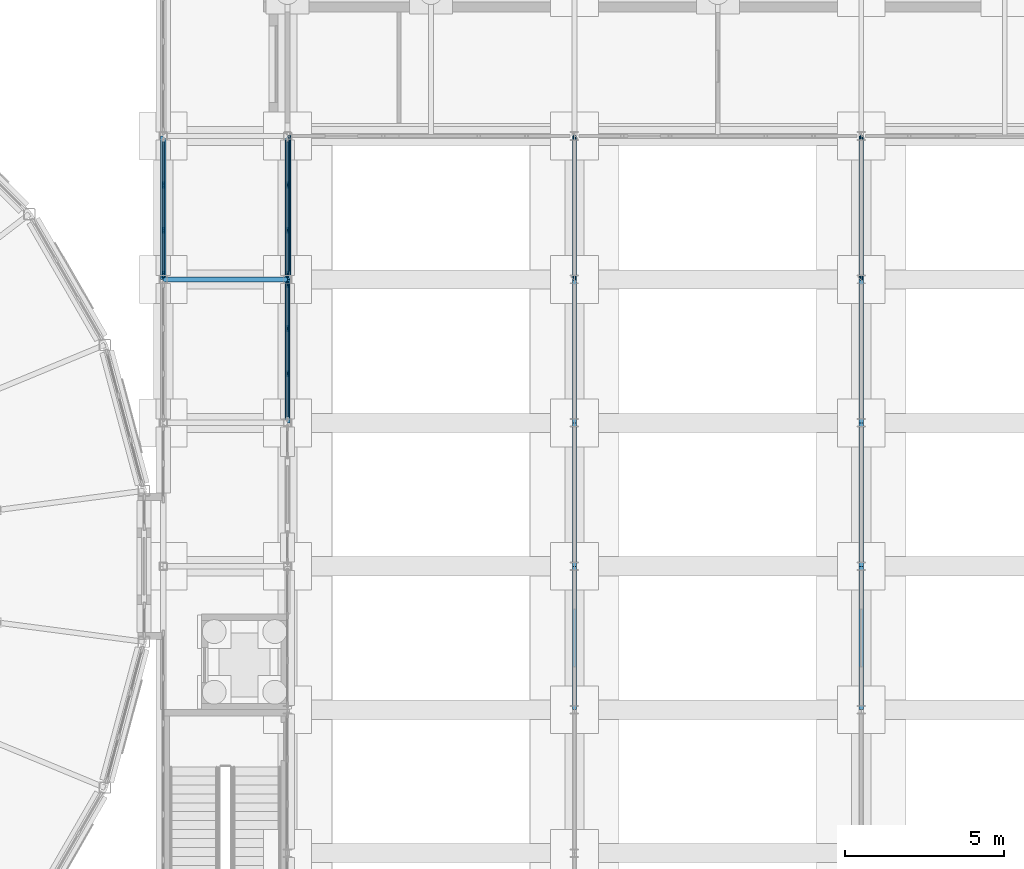
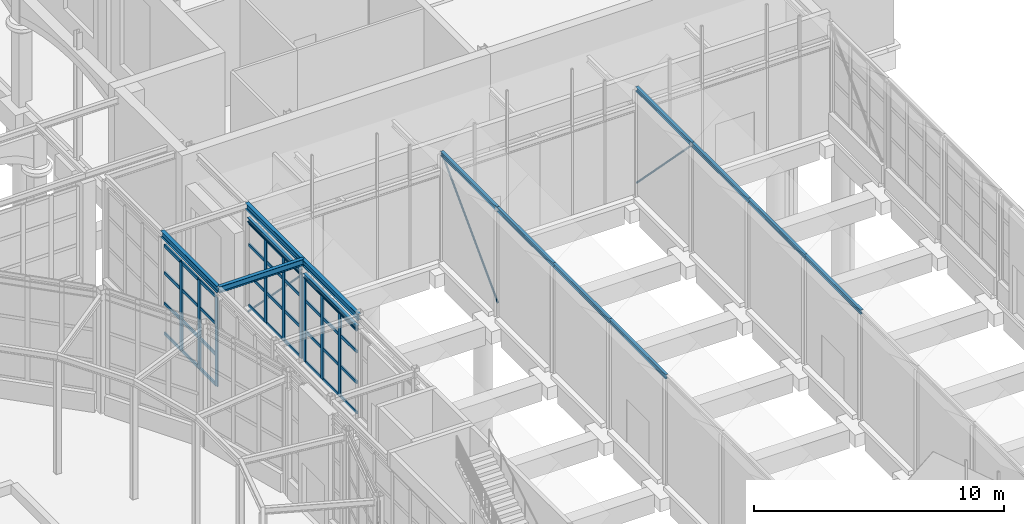
# One storey, part 45 of 106: 48 members, 14 beams, 3 elements without a shape of their own.
"""IFC4 building model written with IfcOpenShell, lengths in metres."""

from ifc_helpers import new_model, si_unit, direction, frame, origin, origin_2d, place, context, subcontext, project, spatial, rectangle, hollow_circle, i_section, extrude, material, layer, layer_set, material_profile, profile_set, type_object, element, aggregate, save


model = new_model("IFC4")

# Units and contexts
model_context = context("Model", 3, precision=1e-05, world=origin(), true_north=direction((0.0, 1.0)))
body_context = subcontext(model_context, "Body", "Model", "MODEL_VIEW")
ifc_project = project(units=[si_unit("LENGTHUNIT", "METRE"), si_unit("AREAUNIT", "SQUARE_METRE"), si_unit("VOLUMEUNIT", "CUBIC_METRE"), si_unit("PLANEANGLEUNIT", "RADIAN"), si_unit("MASSUNIT", "GRAM", prefix="KILO")], contexts=[model_context])

# Site, building, storey
site_placement = place(None, origin())
site = spatial("IfcSite", under=ifc_project, at=site_placement, CompositionType="ELEMENT")
building_placement = place(site_placement, origin())
building = spatial("IfcBuilding", under=site, at=building_placement, Name="Hortulan Conservatory and Botanical Research Centre", CompositionType="ELEMENT")
storey_placement = place(building_placement, origin())
storey = spatial("IfcBuildingStorey", under=building, at=storey_placement, Name="L00", CompositionType="ELEMENT", Elevation=0.0)

# Curtain wall, members
ifc_material_1 = material(Name="Bronze-finished aluminium", Category="aluminium")
ifc_layer = layer(ifc_material_1, 0.10009765625)
ifc_layer_set = layer_set([ifc_layer], Name="Bronze-framed Curtain Wall 1500 module")
curtain_wall_type = type_object("IfcCurtainWallType", Name="Bronze-framed Curtain Wall 1500 module", PredefinedType="NOTDEFINED", material=ifc_layer_set)
curtain_wall_1_placement = place(storey_placement, origin())
curtain_wall_1 = element("IfcCurtainWall", 1, at=curtain_wall_1_placement, inside=storey, type_object=curtain_wall_type, Name="Curtain wall", PredefinedType="NOTDEFINED")
ifc_material_profile_1 = material_profile(ifc_material_1, rectangle(XDim=0.06005859375, YDim=0.199951171875, at=origin_2d()), Name="Bronze Mullion 60x200")
ifc_profile_set_1 = profile_set([ifc_material_profile_1], Name="Bronze-finished aluminium")
member_type_1 = type_object("IfcMemberType", Name="Bronze Mullion 60x200", PredefinedType="MULLION", material=ifc_profile_set_1)
member_1_placement = place(storey_placement, frame((72.60009765625, 27.155029296875, 0.89990234375), z_axis=(0.0, 0.0, 1.0), x_axis=(-1.0, 0.0, 0.0)))
member_1 = element("IfcMember", 2, at=member_1_placement, type_object=member_type_1, Name="CW1 mullion 1", PredefinedType="MULLION", context=body_context, shape_type="SweptSolid", body=[
    extrude(rectangle(XDim=0.06005859375, YDim=0.199951171875, at=origin_2d()), origin(), (0.0, 0.0, 1.0), 4.340087890625),
])
member_2_placement = place(storey_placement, frame((72.60009765625, 28.541748046875, 0.89990234375), z_axis=(0.0, 0.0, 1.0), x_axis=(-1.0, 0.0, 0.0)))
member_2 = element("IfcMember", 3, at=member_2_placement, type_object=member_type_1, Name="CW1 mullion 2", PredefinedType="MULLION", context=body_context, shape_type="SweptSolid", body=[
    extrude(rectangle(XDim=0.06005859375, YDim=0.199951171875, at=origin_2d()), origin(), (0.0, 0.0, 1.0), 4.340087890625),
])
member_3_placement = place(storey_placement, frame((72.60009765625, 29.958251953125, 0.89990234375), z_axis=(0.0, 0.0, 1.0), x_axis=(-1.0, 0.0, 0.0)))
member_3 = element("IfcMember", 4, at=member_3_placement, type_object=member_type_1, Name="CW1 mullion 3", PredefinedType="MULLION", context=body_context, shape_type="SweptSolid", body=[
    extrude(rectangle(XDim=0.06005859375, YDim=0.199951171875, at=origin_2d()), origin(), (0.0, 0.0, 1.0), 4.340087890625),
])

curtain_wall_2_placement = place(storey_placement, origin())
curtain_wall_2 = element("IfcCurtainWall", 5, at=curtain_wall_2_placement, inside=storey, type_object=curtain_wall_type, Name="Curtain wall", PredefinedType="NOTDEFINED")
member_4_placement = place(storey_placement, frame((76.5, 29.958251953125, 0.89990234375), z_axis=(0.0, 0.0, 1.0), x_axis=(1.0, 0.0, 0.0)))
member_4 = element("IfcMember", 6, at=member_4_placement, type_object=member_type_1, Name="CW1 mullion 2", PredefinedType="MULLION", context=body_context, shape_type="SweptSolid", body=[
    extrude(rectangle(XDim=0.06005859375, YDim=0.199951171875, at=origin_2d()), origin(), (0.0, 0.0, 1.0), 4.10009765625),
])
member_5_placement = place(storey_placement, frame((76.5, 28.541748046875, 0.89990234375), z_axis=(0.0, 0.0, 1.0), x_axis=(1.0, 0.0, 0.0)))
member_5 = element("IfcMember", 7, at=member_5_placement, type_object=member_type_1, Name="CW1 mullion 3", PredefinedType="MULLION", context=body_context, shape_type="SweptSolid", body=[
    extrude(rectangle(XDim=0.06005859375, YDim=0.199951171875, at=origin_2d()), origin(), (0.0, 0.0, 1.0), 4.10009765625),
])
member_6_placement = place(storey_placement, frame((76.5, 27.155029296875, 0.89990234375), z_axis=(0.0, 0.0, 1.0), x_axis=(1.0, 0.0, 0.0)))
member_6 = element("IfcMember", 8, at=member_6_placement, type_object=member_type_1, Name="CW1 mullion 4", PredefinedType="MULLION", context=body_context, shape_type="SweptSolid", body=[
    extrude(rectangle(XDim=0.06005859375, YDim=0.199951171875, at=origin_2d()), origin(), (0.0, 0.0, 1.0), 4.10009765625),
])

curtain_wall_3_placement = place(storey_placement, origin())
curtain_wall_3 = element("IfcCurtainWall", 9, at=curtain_wall_3_placement, inside=storey, type_object=curtain_wall_type, Name="Curtain wall", PredefinedType="NOTDEFINED")
member_7_placement = place(storey_placement, frame((76.5, 26.844970703125, 0.89990234375), z_axis=(0.0, 0.0, 1.0), x_axis=(1.0, 0.0, 0.0)))
member_7 = element("IfcMember", 10, at=member_7_placement, type_object=member_type_1, Name="CW1 mullion 1", PredefinedType="MULLION", context=body_context, shape_type="SweptSolid", body=[
    extrude(rectangle(XDim=0.06005859375, YDim=0.199951171875, at=origin_2d()), origin(), (0.0, 0.0, 1.0), 4.10009765625),
])
member_8_placement = place(storey_placement, frame((76.5, 25.458251953125, 0.89990234375), z_axis=(0.0, 0.0, 1.0), x_axis=(1.0, 0.0, 0.0)))
member_8 = element("IfcMember", 11, at=member_8_placement, type_object=member_type_1, Name="CW1 mullion 2", PredefinedType="MULLION", context=body_context, shape_type="SweptSolid", body=[
    extrude(rectangle(XDim=0.06005859375, YDim=0.199951171875, at=origin_2d()), origin(), (0.0, 0.0, 1.0), 4.10009765625),
])
member_9_placement = place(storey_placement, frame((76.5, 24.041748046875, 0.89990234375), z_axis=(0.0, 0.0, 1.0), x_axis=(1.0, 0.0, 0.0)))
member_9 = element("IfcMember", 12, at=member_9_placement, type_object=member_type_1, Name="CW1 mullion 3", PredefinedType="MULLION", context=body_context, shape_type="SweptSolid", body=[
    extrude(rectangle(XDim=0.06005859375, YDim=0.199951171875, at=origin_2d()), origin(), (0.0, 0.0, 1.0), 4.10009765625),
])

# Member
ifc_material_profile_2 = material_profile(ifc_material_1, rectangle(XDim=0.06005859375, YDim=0.14990234375, at=origin_2d()), Name="Bronze Transom 60x150")
ifc_profile_set_2 = profile_set([ifc_material_profile_2], Name="Bronze-finished aluminium")
member_type_2 = type_object("IfcMemberType", Name="Bronze Transom 60x150", PredefinedType="USERDEFINED", material=ifc_profile_set_2)
member_10_placement = place(storey_placement, frame((72.60009765625, 27.18505859375, 0.929931640625), z_axis=(0.0, 1.0, 0.0), x_axis=(-1.0, 0.0, 0.0)))
member_10 = element("IfcMember", 13, at=member_10_placement, type_object=member_type_2, Name="CW1 transom 1.1", ObjectType="TRANSOM", PredefinedType="USERDEFINED", context=body_context, shape_type="SweptSolid", body=[
    extrude(rectangle(XDim=0.06005859375, YDim=0.14990234375, at=origin_2d()), origin(), (0.0, 0.0, 1.0), 1.32666015625),
])

member_11_placement = place(storey_placement, frame((72.60009765625, 27.18505859375, 2.39990234375), z_axis=(0.0, 1.0, 0.0), x_axis=(-1.0, 0.0, 0.0)))
member_11 = element("IfcMember", 14, at=member_11_placement, type_object=member_type_2, Name="CW1 transom 1.2", ObjectType="TRANSOM", PredefinedType="USERDEFINED", context=body_context, shape_type="SweptSolid", body=[
    extrude(rectangle(XDim=0.06005859375, YDim=0.14990234375, at=origin_2d()), origin(), (0.0, 0.0, 1.0), 1.32666015625),
])

member_12_placement = place(storey_placement, frame((72.60009765625, 27.18505859375, 3.89990234375), z_axis=(0.0, 1.0, 0.0), x_axis=(-1.0, 0.0, 0.0)))
member_12 = element("IfcMember", 15, at=member_12_placement, type_object=member_type_2, Name="CW1 transom 1.3", ObjectType="TRANSOM", PredefinedType="USERDEFINED", context=body_context, shape_type="SweptSolid", body=[
    extrude(rectangle(XDim=0.06005859375, YDim=0.14990234375, at=origin_2d()), origin(), (0.0, 0.0, 1.0), 1.32666015625),
])

member_13_placement = place(storey_placement, frame((72.60009765625, 27.18505859375, 5.2099609375), z_axis=(0.0, 1.0, 0.0), x_axis=(-1.0, 0.0, 0.0)))
member_13 = element("IfcMember", 16, at=member_13_placement, type_object=member_type_2, Name="CW1 transom 1.4", ObjectType="TRANSOM", PredefinedType="USERDEFINED", context=body_context, shape_type="SweptSolid", body=[
    extrude(rectangle(XDim=0.06005859375, YDim=0.14990234375, at=origin_2d()), origin(), (0.0, 0.0, 1.0), 1.32666015625),
])

member_14_placement = place(storey_placement, frame((72.60009765625, 28.57177734375, 0.929931640625), z_axis=(0.0, 1.0, 0.0), x_axis=(-1.0, 0.0, 0.0)))
member_14 = element("IfcMember", 17, at=member_14_placement, type_object=member_type_2, Name="CW1 transom 2.1", ObjectType="TRANSOM", PredefinedType="USERDEFINED", context=body_context, shape_type="SweptSolid", body=[
    extrude(rectangle(XDim=0.06005859375, YDim=0.14990234375, at=origin_2d()), origin(), (0.0, 0.0, 1.0), 1.3564453125),
])

member_15_placement = place(storey_placement, frame((72.60009765625, 28.57177734375, 2.39990234375), z_axis=(0.0, 1.0, 0.0), x_axis=(-1.0, 0.0, 0.0)))
member_15 = element("IfcMember", 18, at=member_15_placement, type_object=member_type_2, Name="CW1 transom 2.2", ObjectType="TRANSOM", PredefinedType="USERDEFINED", context=body_context, shape_type="SweptSolid", body=[
    extrude(rectangle(XDim=0.06005859375, YDim=0.14990234375, at=origin_2d()), origin(), (0.0, 0.0, 1.0), 1.3564453125),
])

member_16_placement = place(storey_placement, frame((72.60009765625, 28.57177734375, 3.89990234375), z_axis=(0.0, 1.0, 0.0), x_axis=(-1.0, 0.0, 0.0)))
member_16 = element("IfcMember", 19, at=member_16_placement, type_object=member_type_2, Name="CW1 transom 2.3", ObjectType="TRANSOM", PredefinedType="USERDEFINED", context=body_context, shape_type="SweptSolid", body=[
    extrude(rectangle(XDim=0.06005859375, YDim=0.14990234375, at=origin_2d()), origin(), (0.0, 0.0, 1.0), 1.3564453125),
])

member_17_placement = place(storey_placement, frame((72.60009765625, 28.57177734375, 5.2099609375), z_axis=(0.0, 1.0, 0.0), x_axis=(-1.0, 0.0, 0.0)))
member_17 = element("IfcMember", 20, at=member_17_placement, type_object=member_type_2, Name="CW1 transom 2.4", ObjectType="TRANSOM", PredefinedType="USERDEFINED", context=body_context, shape_type="SweptSolid", body=[
    extrude(rectangle(XDim=0.06005859375, YDim=0.14990234375, at=origin_2d()), origin(), (0.0, 0.0, 1.0), 1.3564453125),
])

member_18_placement = place(storey_placement, frame((72.60009765625, 29.98828125, 0.929931640625), z_axis=(0.0, 1.0, 0.0), x_axis=(-1.0, 0.0, 0.0)))
member_18 = element("IfcMember", 21, at=member_18_placement, type_object=member_type_2, Name="CW1 transom 3.1", ObjectType="TRANSOM", PredefinedType="USERDEFINED", context=body_context, shape_type="SweptSolid", body=[
    extrude(rectangle(XDim=0.06005859375, YDim=0.14990234375, at=origin_2d()), origin(), (0.0, 0.0, 1.0), 1.32666015625),
])

member_19_placement = place(storey_placement, frame((72.60009765625, 29.98828125, 2.39990234375), z_axis=(0.0, 1.0, 0.0), x_axis=(-1.0, 0.0, 0.0)))
member_19 = element("IfcMember", 22, at=member_19_placement, type_object=member_type_2, Name="CW1 transom 3.2", ObjectType="TRANSOM", PredefinedType="USERDEFINED", context=body_context, shape_type="SweptSolid", body=[
    extrude(rectangle(XDim=0.06005859375, YDim=0.14990234375, at=origin_2d()), origin(), (0.0, 0.0, 1.0), 1.32666015625),
])

member_20_placement = place(storey_placement, frame((72.60009765625, 29.98828125, 3.89990234375), z_axis=(0.0, 1.0, 0.0), x_axis=(-1.0, 0.0, 0.0)))
member_20 = element("IfcMember", 23, at=member_20_placement, type_object=member_type_2, Name="CW1 transom 3.3", ObjectType="TRANSOM", PredefinedType="USERDEFINED", context=body_context, shape_type="SweptSolid", body=[
    extrude(rectangle(XDim=0.06005859375, YDim=0.14990234375, at=origin_2d()), origin(), (0.0, 0.0, 1.0), 1.32666015625),
])

member_21_placement = place(storey_placement, frame((72.60009765625, 29.98828125, 5.2099609375), z_axis=(0.0, 1.0, 0.0), x_axis=(-1.0, 0.0, 0.0)))
member_21 = element("IfcMember", 24, at=member_21_placement, type_object=member_type_2, Name="CW1 transom 3.4", ObjectType="TRANSOM", PredefinedType="USERDEFINED", context=body_context, shape_type="SweptSolid", body=[
    extrude(rectangle(XDim=0.06005859375, YDim=0.14990234375, at=origin_2d()), origin(), (0.0, 0.0, 1.0), 1.32666015625),
])

aggregate(curtain_wall_1, [member_1, member_2, member_3, member_10, member_11, member_12, member_13, member_14, member_15, member_16, member_17, member_18, member_19, member_20, member_21])

member_22_placement = place(storey_placement, frame((76.5, 31.31494140625, 0.929931640625), z_axis=(0.0, -1.0, 0.0), x_axis=(1.0, 0.0, 0.0)))
member_22 = element("IfcMember", 25, at=member_22_placement, type_object=member_type_2, Name="CW1 transom 1.1", ObjectType="TRANSOM", PredefinedType="USERDEFINED", context=body_context, shape_type="SweptSolid", body=[
    extrude(rectangle(XDim=0.06005859375, YDim=0.14990234375, at=origin_2d()), origin(), (0.0, 0.0, 1.0), 1.32666015625),
])

member_23_placement = place(storey_placement, frame((76.5, 31.31494140625, 2.39990234375), z_axis=(0.0, -1.0, 0.0), x_axis=(1.0, 0.0, 0.0)))
member_23 = element("IfcMember", 26, at=member_23_placement, type_object=member_type_2, Name="CW1 transom 1.2", ObjectType="TRANSOM", PredefinedType="USERDEFINED", context=body_context, shape_type="SweptSolid", body=[
    extrude(rectangle(XDim=0.06005859375, YDim=0.14990234375, at=origin_2d()), origin(), (0.0, 0.0, 1.0), 1.32666015625),
])

member_24_placement = place(storey_placement, frame((76.5, 31.31494140625, 3.89990234375), z_axis=(0.0, -1.0, 0.0), x_axis=(1.0, 0.0, 0.0)))
member_24 = element("IfcMember", 27, at=member_24_placement, type_object=member_type_2, Name="CW1 transom 1.3", ObjectType="TRANSOM", PredefinedType="USERDEFINED", context=body_context, shape_type="SweptSolid", body=[
    extrude(rectangle(XDim=0.06005859375, YDim=0.14990234375, at=origin_2d()), origin(), (0.0, 0.0, 1.0), 1.32666015625),
])

member_25_placement = place(storey_placement, frame((76.5, 31.31494140625, 4.969970703125), z_axis=(0.0, -1.0, 0.0), x_axis=(1.0, 0.0, 0.0)))
member_25 = element("IfcMember", 28, at=member_25_placement, type_object=member_type_2, Name="CW1 transom 1.4", ObjectType="TRANSOM", PredefinedType="USERDEFINED", context=body_context, shape_type="SweptSolid", body=[
    extrude(rectangle(XDim=0.06005859375, YDim=0.14990234375, at=origin_2d()), origin(), (0.0, 0.0, 1.0), 1.32666015625),
])

member_26_placement = place(storey_placement, frame((76.5, 29.92822265625, 0.929931640625), z_axis=(0.0, -1.0, 0.0), x_axis=(1.0, 0.0, 0.0)))
member_26 = element("IfcMember", 29, at=member_26_placement, type_object=member_type_2, Name="CW1 transom 2.1", ObjectType="TRANSOM", PredefinedType="USERDEFINED", context=body_context, shape_type="SweptSolid", body=[
    extrude(rectangle(XDim=0.06005859375, YDim=0.14990234375, at=origin_2d()), origin(), (0.0, 0.0, 1.0), 1.3564453125),
])

member_27_placement = place(storey_placement, frame((76.5, 29.92822265625, 2.39990234375), z_axis=(0.0, -1.0, 0.0), x_axis=(1.0, 0.0, 0.0)))
member_27 = element("IfcMember", 30, at=member_27_placement, type_object=member_type_2, Name="CW1 transom 2.2", ObjectType="TRANSOM", PredefinedType="USERDEFINED", context=body_context, shape_type="SweptSolid", body=[
    extrude(rectangle(XDim=0.06005859375, YDim=0.14990234375, at=origin_2d()), origin(), (0.0, 0.0, 1.0), 1.3564453125),
])

member_28_placement = place(storey_placement, frame((76.5, 29.92822265625, 3.89990234375), z_axis=(0.0, -1.0, 0.0), x_axis=(1.0, 0.0, 0.0)))
member_28 = element("IfcMember", 31, at=member_28_placement, type_object=member_type_2, Name="CW1 transom 2.3", ObjectType="TRANSOM", PredefinedType="USERDEFINED", context=body_context, shape_type="SweptSolid", body=[
    extrude(rectangle(XDim=0.06005859375, YDim=0.14990234375, at=origin_2d()), origin(), (0.0, 0.0, 1.0), 1.3564453125),
])

member_29_placement = place(storey_placement, frame((76.5, 29.92822265625, 4.969970703125), z_axis=(0.0, -1.0, 0.0), x_axis=(1.0, 0.0, 0.0)))
member_29 = element("IfcMember", 32, at=member_29_placement, type_object=member_type_2, Name="CW1 transom 2.4", ObjectType="TRANSOM", PredefinedType="USERDEFINED", context=body_context, shape_type="SweptSolid", body=[
    extrude(rectangle(XDim=0.06005859375, YDim=0.14990234375, at=origin_2d()), origin(), (0.0, 0.0, 1.0), 1.3564453125),
])

member_30_placement = place(storey_placement, frame((76.5, 28.51171875, 0.929931640625), z_axis=(0.0, -1.0, 0.0), x_axis=(1.0, 0.0, 0.0)))
member_30 = element("IfcMember", 33, at=member_30_placement, type_object=member_type_2, Name="CW1 transom 3.1", ObjectType="TRANSOM", PredefinedType="USERDEFINED", context=body_context, shape_type="SweptSolid", body=[
    extrude(rectangle(XDim=0.06005859375, YDim=0.14990234375, at=origin_2d()), origin(), (0.0, 0.0, 1.0), 1.32666015625),
])

member_31_placement = place(storey_placement, frame((76.5, 28.51171875, 2.39990234375), z_axis=(0.0, -1.0, 0.0), x_axis=(1.0, 0.0, 0.0)))
member_31 = element("IfcMember", 34, at=member_31_placement, type_object=member_type_2, Name="CW1 transom 3.2", ObjectType="TRANSOM", PredefinedType="USERDEFINED", context=body_context, shape_type="SweptSolid", body=[
    extrude(rectangle(XDim=0.06005859375, YDim=0.14990234375, at=origin_2d()), origin(), (0.0, 0.0, 1.0), 1.32666015625),
])

member_32_placement = place(storey_placement, frame((76.5, 28.51171875, 3.89990234375), z_axis=(0.0, -1.0, 0.0), x_axis=(1.0, 0.0, 0.0)))
member_32 = element("IfcMember", 35, at=member_32_placement, type_object=member_type_2, Name="CW1 transom 3.3", ObjectType="TRANSOM", PredefinedType="USERDEFINED", context=body_context, shape_type="SweptSolid", body=[
    extrude(rectangle(XDim=0.06005859375, YDim=0.14990234375, at=origin_2d()), origin(), (0.0, 0.0, 1.0), 1.32666015625),
])

member_33_placement = place(storey_placement, frame((76.5, 28.51171875, 4.969970703125), z_axis=(0.0, -1.0, 0.0), x_axis=(1.0, 0.0, 0.0)))
member_33 = element("IfcMember", 36, at=member_33_placement, type_object=member_type_2, Name="CW1 transom 3.4", ObjectType="TRANSOM", PredefinedType="USERDEFINED", context=body_context, shape_type="SweptSolid", body=[
    extrude(rectangle(XDim=0.06005859375, YDim=0.14990234375, at=origin_2d()), origin(), (0.0, 0.0, 1.0), 1.32666015625),
])

aggregate(curtain_wall_2, [member_4, member_5, member_6, member_22, member_23, member_24, member_25, member_26, member_27, member_28, member_29, member_30, member_31, member_32, member_33])

member_34_placement = place(storey_placement, frame((76.5, 26.81494140625, 0.929931640625), z_axis=(0.0, -1.0, 0.0), x_axis=(1.0, 0.0, 0.0)))
member_34 = element("IfcMember", 37, at=member_34_placement, type_object=member_type_2, Name="CW1 transom 1.1", ObjectType="TRANSOM", PredefinedType="USERDEFINED", context=body_context, shape_type="SweptSolid", body=[
    extrude(rectangle(XDim=0.06005859375, YDim=0.14990234375, at=origin_2d()), origin(), (0.0, 0.0, 1.0), 1.32666015625),
])

member_35_placement = place(storey_placement, frame((76.5, 26.81494140625, 2.39990234375), z_axis=(0.0, -1.0, 0.0), x_axis=(1.0, 0.0, 0.0)))
member_35 = element("IfcMember", 38, at=member_35_placement, type_object=member_type_2, Name="CW1 transom 1.2", ObjectType="TRANSOM", PredefinedType="USERDEFINED", context=body_context, shape_type="SweptSolid", body=[
    extrude(rectangle(XDim=0.06005859375, YDim=0.14990234375, at=origin_2d()), origin(), (0.0, 0.0, 1.0), 1.32666015625),
])

member_36_placement = place(storey_placement, frame((76.5, 26.81494140625, 3.89990234375), z_axis=(0.0, -1.0, 0.0), x_axis=(1.0, 0.0, 0.0)))
member_36 = element("IfcMember", 39, at=member_36_placement, type_object=member_type_2, Name="CW1 transom 1.3", ObjectType="TRANSOM", PredefinedType="USERDEFINED", context=body_context, shape_type="SweptSolid", body=[
    extrude(rectangle(XDim=0.06005859375, YDim=0.14990234375, at=origin_2d()), origin(), (0.0, 0.0, 1.0), 1.32666015625),
])

member_37_placement = place(storey_placement, frame((76.5, 26.81494140625, 4.969970703125), z_axis=(0.0, -1.0, 0.0), x_axis=(1.0, 0.0, 0.0)))
member_37 = element("IfcMember", 40, at=member_37_placement, type_object=member_type_2, Name="CW1 transom 1.4", ObjectType="TRANSOM", PredefinedType="USERDEFINED", context=body_context, shape_type="SweptSolid", body=[
    extrude(rectangle(XDim=0.06005859375, YDim=0.14990234375, at=origin_2d()), origin(), (0.0, 0.0, 1.0), 1.32666015625),
])

member_38_placement = place(storey_placement, frame((76.5, 25.42822265625, 0.929931640625), z_axis=(0.0, -1.0, 0.0), x_axis=(1.0, 0.0, 0.0)))
member_38 = element("IfcMember", 41, at=member_38_placement, type_object=member_type_2, Name="CW1 transom 2.1", ObjectType="TRANSOM", PredefinedType="USERDEFINED", context=body_context, shape_type="SweptSolid", body=[
    extrude(rectangle(XDim=0.06005859375, YDim=0.14990234375, at=origin_2d()), origin(), (0.0, 0.0, 1.0), 1.3564453125),
])

member_39_placement = place(storey_placement, frame((76.5, 25.42822265625, 2.39990234375), z_axis=(0.0, -1.0, 0.0), x_axis=(1.0, 0.0, 0.0)))
member_39 = element("IfcMember", 42, at=member_39_placement, type_object=member_type_2, Name="CW1 transom 2.2", ObjectType="TRANSOM", PredefinedType="USERDEFINED", context=body_context, shape_type="SweptSolid", body=[
    extrude(rectangle(XDim=0.06005859375, YDim=0.14990234375, at=origin_2d()), origin(), (0.0, 0.0, 1.0), 1.3564453125),
])

member_40_placement = place(storey_placement, frame((76.5, 25.42822265625, 3.89990234375), z_axis=(0.0, -1.0, 0.0), x_axis=(1.0, 0.0, 0.0)))
member_40 = element("IfcMember", 43, at=member_40_placement, type_object=member_type_2, Name="CW1 transom 2.3", ObjectType="TRANSOM", PredefinedType="USERDEFINED", context=body_context, shape_type="SweptSolid", body=[
    extrude(rectangle(XDim=0.06005859375, YDim=0.14990234375, at=origin_2d()), origin(), (0.0, 0.0, 1.0), 1.3564453125),
])

member_41_placement = place(storey_placement, frame((76.5, 25.42822265625, 4.969970703125), z_axis=(0.0, -1.0, 0.0), x_axis=(1.0, 0.0, 0.0)))
member_41 = element("IfcMember", 44, at=member_41_placement, type_object=member_type_2, Name="CW1 transom 2.4", ObjectType="TRANSOM", PredefinedType="USERDEFINED", context=body_context, shape_type="SweptSolid", body=[
    extrude(rectangle(XDim=0.06005859375, YDim=0.14990234375, at=origin_2d()), origin(), (0.0, 0.0, 1.0), 1.3564453125),
])

member_42_placement = place(storey_placement, frame((76.5, 24.01171875, 0.929931640625), z_axis=(0.0, -1.0, 0.0), x_axis=(1.0, 0.0, 0.0)))
member_42 = element("IfcMember", 45, at=member_42_placement, type_object=member_type_2, Name="CW1 transom 3.1", ObjectType="TRANSOM", PredefinedType="USERDEFINED", context=body_context, shape_type="SweptSolid", body=[
    extrude(rectangle(XDim=0.06005859375, YDim=0.14990234375, at=origin_2d()), origin(), (0.0, 0.0, 1.0), 1.32666015625),
])

member_43_placement = place(storey_placement, frame((76.5, 24.01171875, 2.39990234375), z_axis=(0.0, -1.0, 0.0), x_axis=(1.0, 0.0, 0.0)))
member_43 = element("IfcMember", 46, at=member_43_placement, type_object=member_type_2, Name="CW1 transom 3.2", ObjectType="TRANSOM", PredefinedType="USERDEFINED", context=body_context, shape_type="SweptSolid", body=[
    extrude(rectangle(XDim=0.06005859375, YDim=0.14990234375, at=origin_2d()), origin(), (0.0, 0.0, 1.0), 1.32666015625),
])

member_44_placement = place(storey_placement, frame((76.5, 24.01171875, 3.89990234375), z_axis=(0.0, -1.0, 0.0), x_axis=(1.0, 0.0, 0.0)))
member_44 = element("IfcMember", 47, at=member_44_placement, type_object=member_type_2, Name="CW1 transom 3.3", ObjectType="TRANSOM", PredefinedType="USERDEFINED", context=body_context, shape_type="SweptSolid", body=[
    extrude(rectangle(XDim=0.06005859375, YDim=0.14990234375, at=origin_2d()), origin(), (0.0, 0.0, 1.0), 1.32666015625),
])

member_45_placement = place(storey_placement, frame((76.5, 24.01171875, 4.969970703125), z_axis=(0.0, -1.0, 0.0), x_axis=(1.0, 0.0, 0.0)))
member_45 = element("IfcMember", 48, at=member_45_placement, type_object=member_type_2, Name="CW1 transom 3.4", ObjectType="TRANSOM", PredefinedType="USERDEFINED", context=body_context, shape_type="SweptSolid", body=[
    extrude(rectangle(XDim=0.06005859375, YDim=0.14990234375, at=origin_2d()), origin(), (0.0, 0.0, 1.0), 1.32666015625),
])

aggregate(curtain_wall_3, [member_7, member_8, member_9, member_34, member_35, member_36, member_37, member_38, member_39, member_40, member_41, member_42, member_43, member_44, member_45])

# Members
ifc_material_2 = material(Name="Steel Grade C350L0 (350 MPa, AS/NZS 1163)", Category="steel")
ifc_material_profile_3 = material_profile(ifc_material_2, hollow_circle(Radius=0.04443359375, WallThickness=0.005859375, at=origin_2d()), Name="88.9x5.9CHS")
ifc_profile_set_3 = profile_set([ifc_material_profile_3], Name="Steel Grade C350L0 (350 MPa, AS/NZS 1163)")
member_type_3 = type_object("IfcMemberType", Name="Climate House Bracing 88.9x5.9 CHS", PredefinedType="BRACE", material=ifc_profile_set_3)
member_46_placement = place(storey_placement, frame((76.568359375, 31.5, 0.5), z_axis=(0.0, -0.699027695841, 0.715094595454), x_axis=(1.0, 0.0, 0.0)))
element("IfcMember", 49, at=member_46_placement, inside=storey, type_object=member_type_3, Name="Climate house wall bracing line 1 end bay 2", PredefinedType="BRACE", context=body_context, shape_type="SweptSolid", body=[
    extrude(hollow_circle(Radius=0.04443359375, WallThickness=0.005859375, at=origin_2d()), origin(), (0.0, 0.0, 1.0), 6.22998046875),
])
for number, where, z_axis, x_axis, name in (
    (50, (85.5, 27.0, 0.5), (0.0, 0.699021115287, 0.715101028095), (-1.0, 0.0, 0.0), "Climate house wall bracing line 2 end bay 2"),
    (51, (94.5, 31.5, 0.5), (0.0, -0.699021115287, 0.715101028095), (1.0, 0.0, 0.0), "Climate house wall bracing line 3 end bay 2"),
):
    element("IfcMember", number, at=place(storey_placement, frame(where, z_axis=z_axis, x_axis=x_axis)), inside=storey, type_object=member_type_3, Name=name, PredefinedType="BRACE", context=body_context, shape_type="SweptSolid", body=[
        extrude(hollow_circle(Radius=0.04443359375, WallThickness=0.005859375, at=origin_2d()), origin(), (0.0, 0.0, 1.0), 6.4375),
    ])

# Beams
ifc_material_3 = material(Name="Steel Grade 300PLUS (AS/NZS 3679.1, 280 MPa minimum yield)", Category="steel")
ifc_material_profile_4 = material_profile(ifc_material_3, i_section(OverallWidth=0.134033203125, OverallDepth=0.20703125, WebThickness=0.00634765625, FlangeThickness=0.009521484375, FilletRadius=0.0087890625, at=origin_2d()), Name="200UB29.8")
ifc_profile_set_4 = profile_set([ifc_material_profile_4], Name="Steel Grade 300PLUS (AS/NZS 3679.1, 280 MPa minimum yield)")
beam_type_1 = type_object("IfcBeamType", Name="Climate House Eaves Beam 200UB29.8", PredefinedType="BEAM", material=ifc_profile_set_4)
for number, where, z_axis, x_axis, name in (
    (52, (76.5, 22.625, 5.103515625), (0.0, 1.0, 0.0), (-1.0, 0.0, 0.0), "Climate house eaves beam line 1 bay 6"),
    (53, (76.5, 27.125, 5.103515625), (0.0, 1.0, 0.0), (-1.0, 0.0, 0.0), "Climate house eaves beam line 1 bay 7"),
):
    element("IfcBeam", number, at=place(storey_placement, frame(where, z_axis=z_axis, x_axis=x_axis)), inside=storey, type_object=beam_type_1, Name=name, PredefinedType="BEAM", context=body_context, shape_type="SweptSolid", body=[
        extrude(i_section(OverallWidth=0.134033203125, OverallDepth=0.20703125, WebThickness=0.00634765625, FlangeThickness=0.009521484375, FilletRadius=0.0087890625, at=origin_2d()), origin(), (0.0, 0.0, 1.0), 4.25),
    ])
for number, where, z_axis, x_axis, name in (
    (54, (85.5, 13.5, 5.103515625), (0.0, 1.0, 0.0), (-1.0, 0.0, 0.0), "Climate house eaves beam line 2 bay 4"),
    (55, (85.5, 18.0, 5.103515625), (0.0, 1.0, 0.0), (-1.0, 0.0, 0.0), "Climate house eaves beam line 2 bay 5"),
    (56, (85.5, 22.5, 5.103515625), (0.0, 1.0, 0.0), (-1.0, 0.0, 0.0), "Climate house eaves beam line 2 bay 6"),
    (57, (85.5, 27.0, 5.103515625), (0.0, 1.0, 0.0), (-1.0, 0.0, 0.0), "Climate house eaves beam line 2 bay 7"),
    (58, (94.5, 13.5, 5.103515625), (0.0, 1.0, 0.0), (-1.0, 0.0, 0.0), "Climate house eaves beam line 3 bay 4"),
    (59, (94.5, 18.0, 5.103515625), (0.0, 1.0, 0.0), (-1.0, 0.0, 0.0), "Climate house eaves beam line 3 bay 5"),
    (60, (94.5, 22.5, 5.103515625), (0.0, 1.0, 0.0), (-1.0, 0.0, 0.0), "Climate house eaves beam line 3 bay 6"),
    (61, (94.5, 27.0, 5.103515625), (0.0, 1.0, 0.0), (-1.0, 0.0, 0.0), "Climate house eaves beam line 3 bay 7"),
):
    element("IfcBeam", number, at=place(storey_placement, frame(where, z_axis=z_axis, x_axis=x_axis)), inside=storey, type_object=beam_type_1, Name=name, PredefinedType="BEAM", context=body_context, shape_type="SweptSolid", body=[
        extrude(i_section(OverallWidth=0.134033203125, OverallDepth=0.20703125, WebThickness=0.00634765625, FlangeThickness=0.009521484375, FilletRadius=0.0087890625, at=origin_2d()), origin(), (0.0, 0.0, 1.0), 4.5),
    ])
ifc_material_profile_5 = material_profile(ifc_material_3, i_section(OverallWidth=0.1650390625, OverallDepth=0.303955078125, WebThickness=0.006103515625, FlangeThickness=0.01025390625, FilletRadius=0.011474609375, at=origin_2d()), Name="310UB40.4")
ifc_profile_set_5 = profile_set([ifc_material_profile_5], Name="Steel Grade 300PLUS (AS/NZS 3679.1, 280 MPa minimum yield)")
beam_type_2 = type_object("IfcBeamType", Name="Head Link Beam 310UB40.4", PredefinedType="BEAM", material=ifc_profile_set_5)
for number, where, z_axis, x_axis, name in (
    (62, (76.5, 22.5, 5.697998046875), (0.0, 1.0, 0.0), (-1.0, 0.0, 0.0), "HE passage beam 2"),
    (63, (72.60009765625, 27.0, 5.697998046875), (0.0, 1.0, 0.0), (-1.0, 0.0, 0.0), "HE passage beam 3"),
    (64, (76.5, 27.0, 5.697998046875), (0.0, 1.0, 0.0), (-1.0, 0.0, 0.0), "HE passage beam 4"),
):
    element("IfcBeam", number, at=place(storey_placement, frame(where, z_axis=z_axis, x_axis=x_axis)), inside=storey, type_object=beam_type_2, Name=name, PredefinedType="BEAM", context=body_context, shape_type="SweptSolid", body=[
        extrude(i_section(OverallWidth=0.1650390625, OverallDepth=0.303955078125, WebThickness=0.006103515625, FlangeThickness=0.01025390625, FilletRadius=0.011474609375, at=origin_2d()), origin(), (0.0, 0.0, 1.0), 4.5),
    ])
beam_placement = place(storey_placement, frame((72.60009765625, 27.0, 5.697998046875), z_axis=(1.0, 0.0, 0.0), x_axis=(0.0, 1.0, 0.0)))
element("IfcBeam", 65, at=beam_placement, inside=storey, type_object=beam_type_2, Name="HE passage beam 7", PredefinedType="BEAM", context=body_context, shape_type="SweptSolid", body=[
    extrude(i_section(OverallWidth=0.1650390625, OverallDepth=0.303955078125, WebThickness=0.006103515625, FlangeThickness=0.01025390625, FilletRadius=0.011474609375, at=origin_2d()), origin(), (0.0, 0.0, 1.0), 3.89990234375),
])

save(model, "model.ifc")
